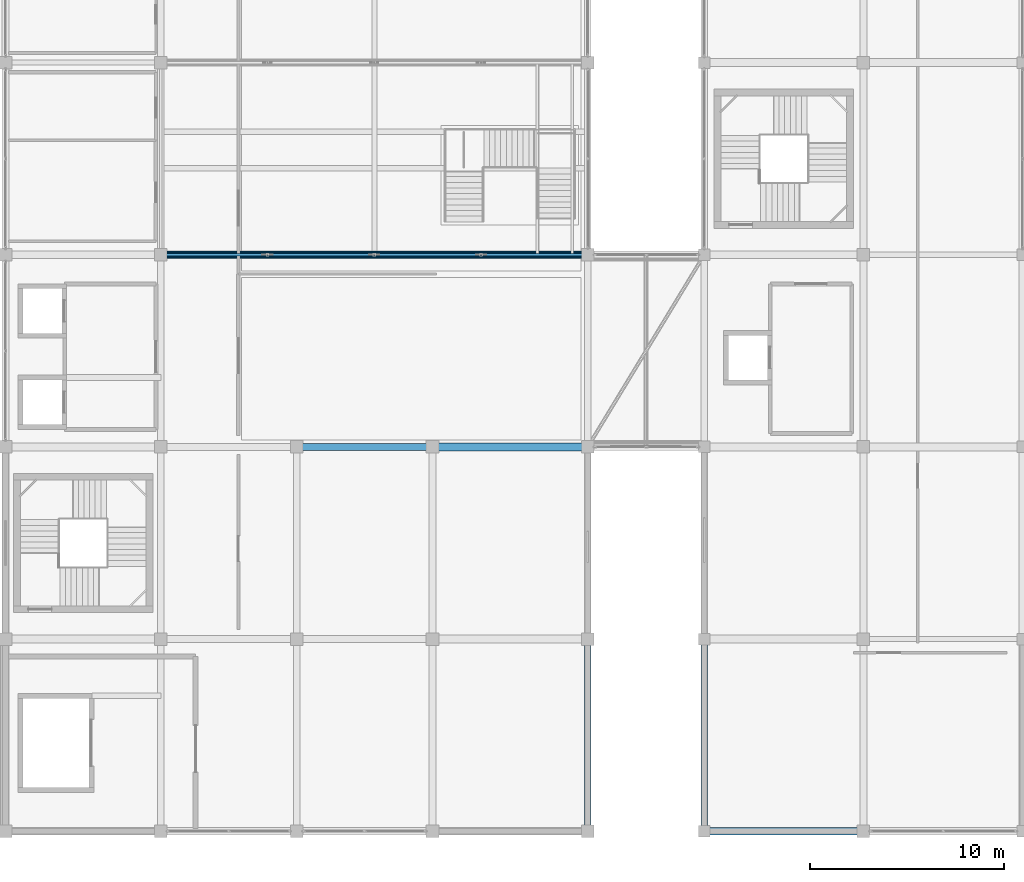
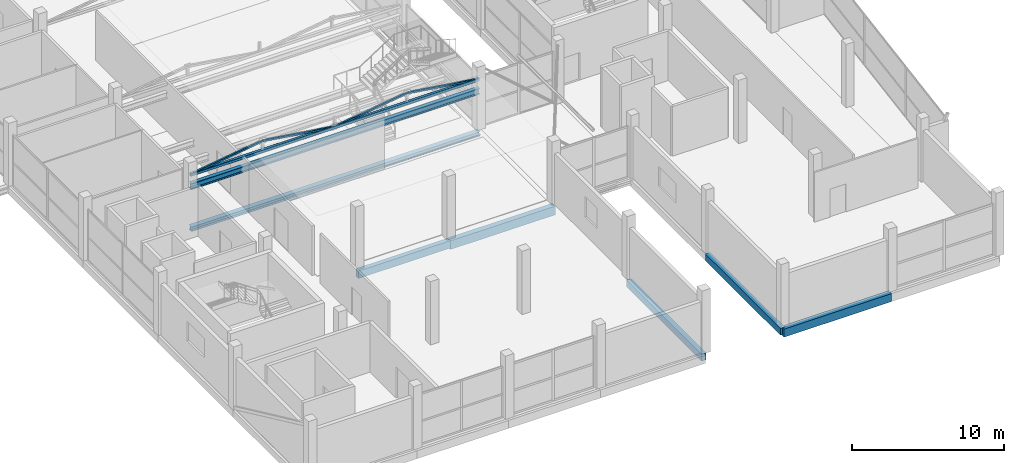
# One storey, part 9 of 66: 7 beams, 5 members.
"""IFC4 building model written with IfcOpenShell, lengths in metres."""

from ifc_helpers import new_model, si_unit, direction, frame, origin, origin_2d, place, context, subcontext, project, spatial, rectangle, hollow_rectangle, i_section, extrude, material, material_profile, profile_set, type_object, element, save


model = new_model("IFC4")

# Units and contexts
model_context = context("Model", 3, precision=1e-05, world=origin(), true_north=direction((0.0, 1.0)))
body_context = subcontext(model_context, "Body", "Model", "MODEL_VIEW")
ifc_project = project(units=[si_unit("LENGTHUNIT", "METRE"), si_unit("AREAUNIT", "SQUARE_METRE"), si_unit("VOLUMEUNIT", "CUBIC_METRE"), si_unit("PLANEANGLEUNIT", "RADIAN"), si_unit("MASSUNIT", "GRAM", prefix="KILO")], contexts=[model_context])

# Site, building, storey
site_placement = place(None, origin())
site = spatial("IfcSite", under=ifc_project, at=site_placement, CompositionType="ELEMENT")
building_placement = place(site_placement, origin())
building = spatial("IfcBuilding", under=site, at=building_placement, Name="Sillaruma Civic Art Gallery", CompositionType="ELEMENT")
storey_placement = place(building_placement, frame((0.0, 0.0, 57.1201171875)))
storey = spatial("IfcBuildingStorey", under=building, at=storey_placement, Name="L11", CompositionType="ELEMENT", Elevation=57.1201171875)

# Beams
ifc_material_1 = material(Name="Concrete H35 (35 MPa)", Category="concrete")
ifc_material_profile_1 = material_profile(ifc_material_1, rectangle(XDim=0.35009765625, YDim=0.60009765625, at=origin_2d()), Name="RCB350x600")
ifc_profile_set_1 = profile_set([ifc_material_profile_1], Name="Concrete H35 (35 MPa)")
beam_type_1 = type_object("IfcBeamType", Name="BM-BEAM-RCB350x600", PredefinedType="BEAM", material=ifc_profile_set_1)
beam_1_placement = place(storey_placement, frame((77.0, 39.60009765625, -0.550048828125), z_axis=(1.0, 0.0, 0.0), x_axis=(0.0, 1.0, 0.0)))
element("IfcBeam", 1, at=beam_1_placement, inside=storey, type_object=beam_type_1, Name="Beam BM-06 (L10:5:H-J)", PredefinedType="BEAM", context=body_context, shape_type="SweptSolid", body=[
    extrude(rectangle(XDim=0.35009765625, YDim=0.60009765625, at=origin_2d()), origin(), (0.0, 0.0, 1.0), 7.0),
])
ifc_material_profile_2 = material_profile(ifc_material_1, rectangle(XDim=0.39990234375, YDim=0.699951171875, at=origin_2d()), Name="RCB400x700")
ifc_profile_set_2 = profile_set([ifc_material_profile_2], Name="Concrete H35 (35 MPa)")
beam_type_2 = type_object("IfcBeamType", Name="BM-BEAM-RCB400x700", PredefinedType="BEAM", material=ifc_profile_set_2)
beam_2_placement = place(storey_placement, frame((84.0, 39.60009765625, -0.60009765625), z_axis=(1.0, 0.0, 0.0), x_axis=(0.0, 1.0, 0.0)))
element("IfcBeam", 2, at=beam_2_placement, inside=storey, type_object=beam_type_2, Name="Beam BM-04 (L10:5:J-K)", PredefinedType="BEAM", context=body_context, shape_type="SweptSolid", body=[
    extrude(rectangle(XDim=0.39990234375, YDim=0.699951171875, at=origin_2d()), origin(), (0.0, 0.0, 1.0), 8.0),
])
ifc_material_2 = material(Name="Structural Steel ASTM A992 Gr.50", Category="steel")
ifc_material_profile_3 = material_profile(ifc_material_2, i_section(OverallWidth=0.282958984375, OverallDepth=0.489013671875, WebThickness=0.01708984375, FlangeThickness=0.030517578125, FilletRadius=0.014892578125, at=origin_2d()), Name="W460x193")
ifc_profile_set_3 = profile_set([ifc_material_profile_3], Name="Structural Steel ASTM A992 Gr.50")
beam_type_3 = type_object("IfcBeamType", Name="BM-LND-W460", PredefinedType="BEAM", material=ifc_profile_set_3)
beam_3_placement = place(storey_placement, frame((70.0, 49.5, 2.970458984375), z_axis=(1.0, 0.0, 0.0), x_axis=(0.0, 1.0, 0.0)))
element("IfcBeam", 3, at=beam_3_placement, inside=storey, type_object=beam_type_3, Name="Feature Stair L2 Rail (ST-G07-S)", PredefinedType="BEAM", context=body_context, shape_type="SweptSolid", body=[
    extrude(i_section(OverallWidth=0.282958984375, OverallDepth=0.489013671875, WebThickness=0.01708984375, FlangeThickness=0.030517578125, FilletRadius=0.014892578125, at=origin_2d()), origin(), (0.0, 0.0, 1.0), 22.0),
])
ifc_material_profile_4 = material_profile(ifc_material_1, rectangle(XDim=0.35009765625, YDim=0.550048828125, at=origin_2d()), Name="RCB350x550")
ifc_profile_set_4 = profile_set([ifc_material_profile_4], Name="Concrete H35 (35 MPa)")
beam_type_4 = type_object("IfcBeamType", Name="BM-SPANDREL-RCB350x550", PredefinedType="SPANDREL", material=ifc_profile_set_4)
for number, where, z_axis, x_axis, name in (
    (4, (92.0, 19.800048828125, -0.525146484375), (0.0, 1.0, 0.0), (-1.0, 0.0, 0.0), "Beam BS-04 (L10:K:3-4)"),
    (5, (98.0, 19.800048828125, -0.525146484375), (0.0, 1.0, 0.0), (-1.0, 0.0, 0.0), "Beam BS-04 (L10:L:3-4)"),
):
    element("IfcBeam", number, at=place(storey_placement, frame(where, z_axis=z_axis, x_axis=x_axis)), inside=storey, type_object=beam_type_4, Name=name, PredefinedType="SPANDREL", context=body_context, shape_type="SweptSolid", body=[
        extrude(rectangle(XDim=0.35009765625, YDim=0.550048828125, at=origin_2d()), origin(), (0.0, 0.0, 1.0), 9.89990234375),
    ])
ifc_material_profile_5 = material_profile(ifc_material_1, rectangle(XDim=0.39990234375, YDim=0.64990234375, at=origin_2d()), Name="RCB400x650")
ifc_profile_set_5 = profile_set([ifc_material_profile_5], Name="Concrete H35 (35 MPa)")
beam_type_5 = type_object("IfcBeamType", Name="BM-SPANDREL-RCB400x650", PredefinedType="SPANDREL", material=ifc_profile_set_5)
beam_4_placement = place(storey_placement, frame((98.0, 19.800048828125, -0.5751953125), z_axis=(1.0, 0.0, 0.0), x_axis=(0.0, 1.0, 0.0)))
element("IfcBeam", 6, at=beam_4_placement, inside=storey, type_object=beam_type_5, Name="Beam BS-02 (L10:3:L-M)", PredefinedType="SPANDREL", context=body_context, shape_type="SweptSolid", body=[
    extrude(rectangle(XDim=0.39990234375, YDim=0.64990234375, at=origin_2d()), origin(), (0.0, 0.0, 1.0), 8.199951171875),
])
ifc_material_profile_6 = material_profile(ifc_material_2, i_section(OverallWidth=0.37109375, OverallDepth=0.364013671875, WebThickness=0.01318359375, FlangeThickness=0.021728515625, FilletRadius=0.014892578125, at=origin_2d()), Name="W360x162")
ifc_profile_set_6 = profile_set([ifc_material_profile_6], Name="Structural Steel ASTM A992 Gr.50")
beam_type_6 = type_object("IfcBeamType", Name="BM-TRTOP-W360x162", PredefinedType="BEAM", material=ifc_profile_set_6)
beam_5_placement = place(storey_placement, frame((70.0, 49.5, -0.43212890625), z_axis=(1.0, 0.0, 0.0), x_axis=(0.0, 1.0, 0.0)))
element("IfcBeam", 7, at=beam_5_placement, inside=storey, type_object=beam_type_6, Name="Warren Truss Top Chord TR-L10-1", PredefinedType="BEAM", context=body_context, shape_type="SweptSolid", body=[
    extrude(i_section(OverallWidth=0.37109375, OverallDepth=0.364013671875, WebThickness=0.01318359375, FlangeThickness=0.021728515625, FilletRadius=0.014892578125, at=origin_2d()), origin(), (0.0, 0.0, 1.0), 22.0),
])

# Members
ifc_material_3 = material(Name="Structural Steel ASTM A500 Gr.C", Category="steel")
ifc_material_profile_7 = material_profile(ifc_material_3, hollow_rectangle(XDim=0.14990234375, YDim=0.14990234375, WallThickness=0.010009765625, InnerFilletRadius=0.010009765625, OuterFilletRadius=0.02001953125, at=origin_2d()), Name="HSS150x150x10")
ifc_profile_set_7 = profile_set([ifc_material_profile_7], Name="Structural Steel ASTM A500 Gr.C")
member_type_1 = type_object("IfcMemberType", Name="MEM-BRACE-HSS150x150x10", PredefinedType="BRACE", material=ifc_profile_set_7)
for number, where, z_axis, x_axis, name in (
    (8, (70.0, 49.5, 3.8798828125), (0.989377720719, 0.0, 0.145367553959), (0.0, 1.0, 0.0), "Warren Truss Diagonal TR-L11-1-D1"),
    (9, (75.5, 49.5, 4.68798828125), (0.989377720719, 0.0, -0.145367553959), (0.0, 1.0, 0.0), "Warren Truss Diagonal TR-L11-1-D2"),
    (10, (81.0, 49.5, 3.8798828125), (0.989377720719, 0.0, 0.145367553959), (0.0, 1.0, 0.0), "Warren Truss Diagonal TR-L11-1-D3"),
    (11, (86.5, 49.5, 4.68798828125), (0.989377720719, 0.0, -0.145367553959), (0.0, 1.0, 0.0), "Warren Truss Diagonal TR-L11-1-D4"),
):
    element("IfcMember", number, at=place(storey_placement, frame(where, z_axis=z_axis, x_axis=x_axis)), inside=storey, type_object=member_type_1, Name=name, PredefinedType="BRACE", context=body_context, shape_type="SweptSolid", body=[
        extrude(hollow_rectangle(XDim=0.14990234375, YDim=0.14990234375, WallThickness=0.010009765625, InnerFilletRadius=0.010009765625, OuterFilletRadius=0.02001953125, at=origin_2d()), origin(), (0.0, 0.0, 1.0), 5.55908203125),
    ])
ifc_material_profile_8 = material_profile(ifc_material_3, hollow_rectangle(XDim=0.219970703125, YDim=0.219970703125, WallThickness=0.012451171875, InnerFilletRadius=0.012451171875, OuterFilletRadius=0.02490234375, at=origin_2d()), Name="HSS220x220x12.5")
ifc_profile_set_8 = profile_set([ifc_material_profile_8], Name="Structural Steel ASTM A500 Gr.C")
member_type_2 = type_object("IfcMemberType", Name="MEM-CHORD-HSS220x220x12.5", PredefinedType="CHORD", material=ifc_profile_set_8)
member_placement = place(storey_placement, frame((70.0, 49.5, 3.8798828125), z_axis=(1.0, 0.0, 0.0), x_axis=(0.0, 1.0, 0.0)))
element("IfcMember", 12, at=member_placement, inside=storey, type_object=member_type_2, Name="Warren Truss Bottom Chord TR-L11-1", PredefinedType="CHORD", context=body_context, shape_type="SweptSolid", body=[
    extrude(hollow_rectangle(XDim=0.219970703125, YDim=0.219970703125, WallThickness=0.012451171875, InnerFilletRadius=0.012451171875, OuterFilletRadius=0.02490234375, at=origin_2d()), origin(), (0.0, 0.0, 1.0), 22.0),
])

save(model, "model.ifc")
